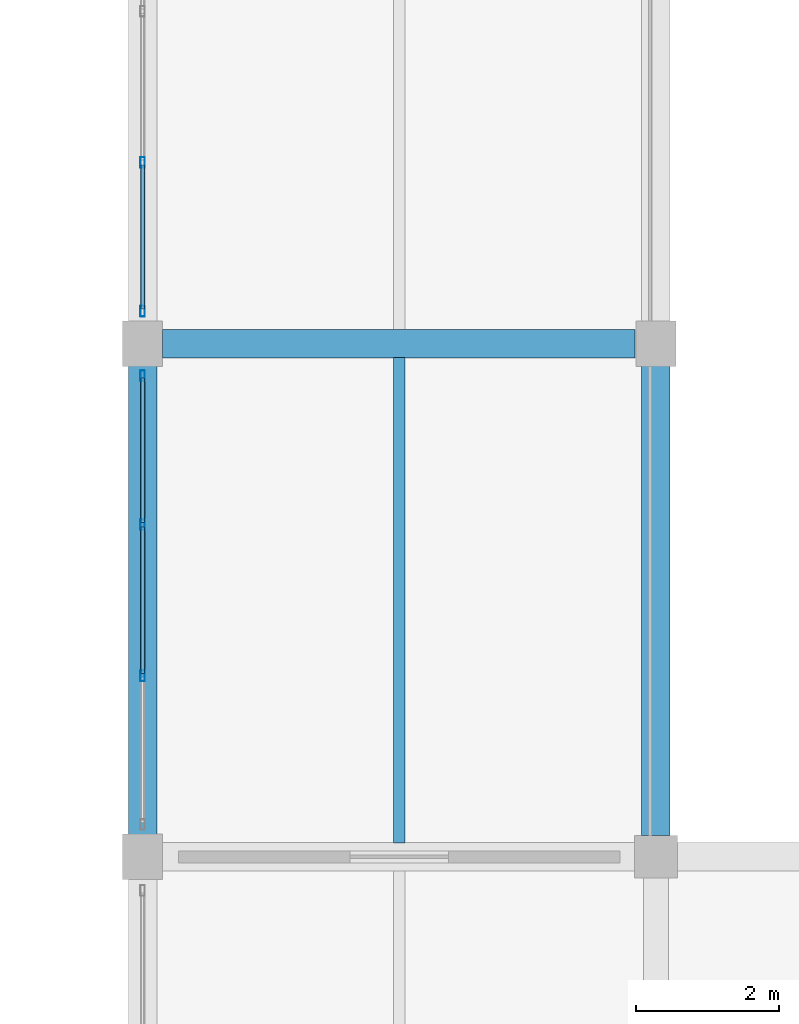
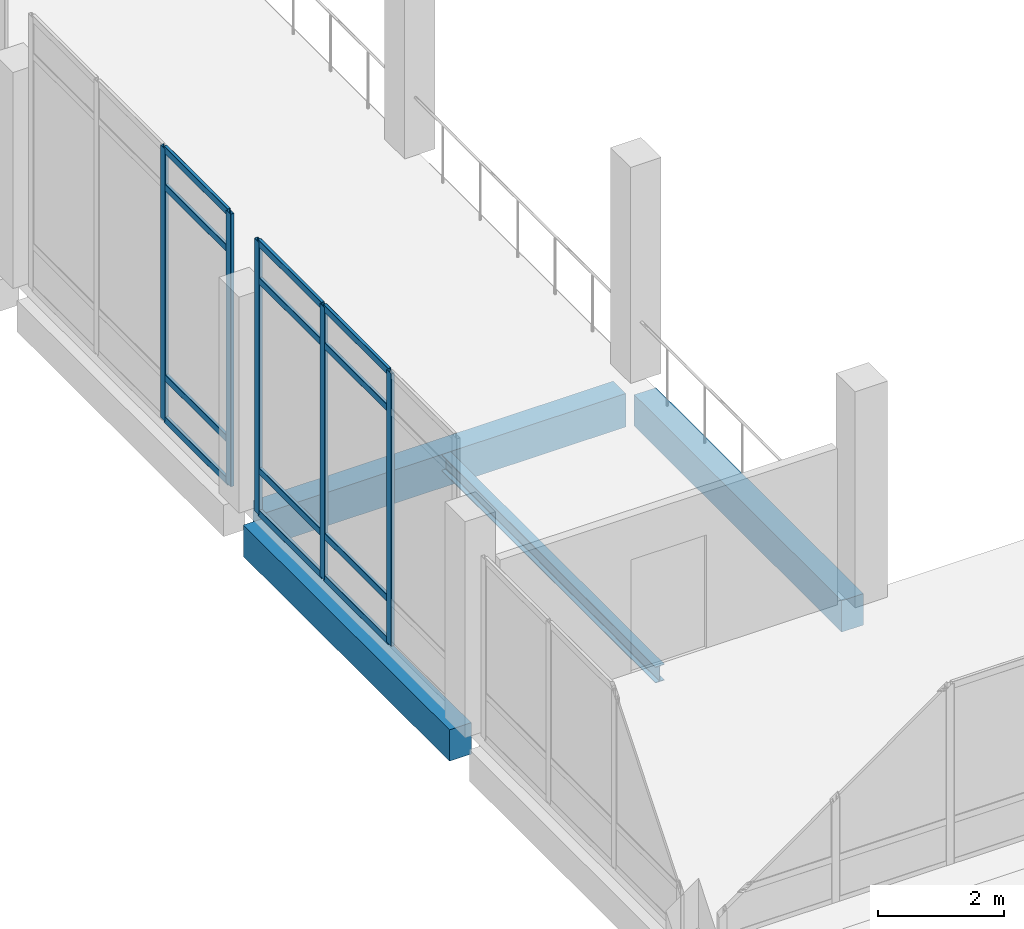
# One storey, part 91 of 158: 17 members, 4 beams, 2 elements without a shape of their own.
"""IFC4 building model written with IfcOpenShell, lengths in metres."""

from ifc_helpers import new_model, si_unit, direction, frame, origin, origin_2d, place, context, subcontext, project, spatial, rectangle, hollow_rectangle, i_section, extrude, material, material_profile, profile_set, type_object, element, aggregate, save


model = new_model("IFC4")

# Units and contexts
model_context = context("Model", 3, precision=1e-05, world=origin(), true_north=direction((0.0, 1.0)))
body_context = subcontext(model_context, "Body", "Model", "MODEL_VIEW")
ifc_project = project(units=[si_unit("LENGTHUNIT", "METRE"), si_unit("AREAUNIT", "SQUARE_METRE"), si_unit("VOLUMEUNIT", "CUBIC_METRE"), si_unit("PLANEANGLEUNIT", "RADIAN"), si_unit("MASSUNIT", "GRAM", prefix="KILO")], contexts=[model_context])

# Site, building, storey
site_placement = place(None, origin())
site = spatial("IfcSite", under=ifc_project, at=site_placement, CompositionType="ELEMENT")
building_placement = place(site_placement, origin())
building = spatial("IfcBuilding", under=site, at=building_placement, Name="Lusvemor Sports Hall", CompositionType="ELEMENT")
storey_placement = place(building_placement, frame((0.0, 0.0, 10.800048828125)))
storey = spatial("IfcBuildingStorey", under=building, at=storey_placement, Name="L02", CompositionType="ELEMENT", Elevation=10.800048828125)

# Beam
ifc_material_1 = material(Name="Concrete C40/50", Category="concrete")
ifc_material_profile_1 = material_profile(ifc_material_1, rectangle(XDim=0.39990234375, YDim=0.64990234375, at=origin_2d()), Name="RC400x650")
ifc_profile_set_1 = profile_set([ifc_material_profile_1], Name="Concrete C40/50")
beam_type_1 = type_object("IfcBeamType", Name="BEAM_RC_650", PredefinedType="BEAM", material=ifc_profile_set_1)
beam_1_placement = place(storey_placement, frame((133.47607421875, 54.0, -0.5849609375), z_axis=(1.0, 0.0, 0.0), x_axis=(0.0, 1.0, 0.0)))
element("IfcBeam", 1, at=beam_1_placement, inside=storey, type_object=beam_type_1, Name="Beam L02 G:15-16", PredefinedType="BEAM", context=body_context, shape_type="SweptSolid", body=[
    extrude(rectangle(XDim=0.39990234375, YDim=0.64990234375, at=origin_2d()), origin(), (0.0, 0.0, 1.0), 6.6279296875),
])

# Curtain wall, members
ifc_material_2 = material(Name="Thermally broken bronze-anodized aluminium", Category="aluminium")
curtain_wall_type = type_object("IfcCurtainWallType", Name="CW_CLIMB_D", PredefinedType="NOTDEFINED", material=ifc_material_2)
curtain_wall_1_placement = place(storey_placement, origin())
curtain_wall_1 = element("IfcCurtainWall", 2, at=curtain_wall_1_placement, inside=storey, type_object=curtain_wall_type, Name="Curtain Wall CW-V3W-L02-0", PredefinedType="NOTDEFINED")
ifc_material_3 = material(Name="Thermally broken bronze-anodized aluminium", Category="aluminium")
ifc_material_profile_2 = material_profile(ifc_material_3, hollow_rectangle(XDim=0.06494140625, YDim=0.14990234375, WallThickness=0.00390625, InnerFilletRadius=0.00390625, OuterFilletRadius=0.008056640625, at=origin_2d()), Name="CWMUL150x65x4")
ifc_profile_set_2 = profile_set([ifc_material_profile_2], Name="Thermally broken bronze-anodized aluminium")
member_type_1 = type_object("IfcMemberType", Name="CW_MUL_B", PredefinedType="MULLION", material=ifc_profile_set_2)
member_1_placement = place(storey_placement, frame((133.199951171875, 49.340087890625, 0.0), z_axis=(0.0, 0.0, 1.0), x_axis=(-1.0, 0.0, 0.0)))
member_1 = element("IfcMember", 3, at=member_1_placement, type_object=member_type_1, Name="CW04 mullion 2", PredefinedType="MULLION", context=body_context, shape_type="SweptSolid", body=[
    extrude(hollow_rectangle(XDim=0.06494140625, YDim=0.14990234375, WallThickness=0.00390625, InnerFilletRadius=0.00390625, OuterFilletRadius=0.008056640625, at=origin_2d()), origin(), (0.0, 0.0, 1.0), 5.300048828125),
])
member_2_placement = place(storey_placement, frame((133.199951171875, 51.4599609375, 0.0), z_axis=(0.0, 0.0, 1.0), x_axis=(-1.0, 0.0, 0.0)))
member_2 = element("IfcMember", 4, at=member_2_placement, type_object=member_type_1, Name="CW04 mullion 3", PredefinedType="MULLION", context=body_context, shape_type="SweptSolid", body=[
    extrude(hollow_rectangle(XDim=0.06494140625, YDim=0.14990234375, WallThickness=0.00390625, InnerFilletRadius=0.00390625, OuterFilletRadius=0.008056640625, at=origin_2d()), origin(), (0.0, 0.0, 1.0), 5.300048828125),
])
member_3_placement = place(storey_placement, frame((133.199951171875, 53.547607421875, 0.0), z_axis=(0.0, 0.0, 1.0), x_axis=(-1.0, 0.0, 0.0)))
member_3 = element("IfcMember", 5, at=member_3_placement, type_object=member_type_1, Name="CW04 mullion 4", PredefinedType="MULLION", context=body_context, shape_type="SweptSolid", body=[
    extrude(hollow_rectangle(XDim=0.06494140625, YDim=0.14990234375, WallThickness=0.00390625, InnerFilletRadius=0.00390625, OuterFilletRadius=0.008056640625, at=origin_2d()), origin(), (0.0, 0.0, 1.0), 5.300048828125),
])

curtain_wall_2_placement = place(storey_placement, origin())
curtain_wall_2 = element("IfcCurtainWall", 6, at=curtain_wall_2_placement, inside=storey, type_object=curtain_wall_type, Name="Curtain Wall CW-V3W-L02-1", PredefinedType="NOTDEFINED")
member_4_placement = place(storey_placement, frame((133.199951171875, 54.452392578125, 0.0), z_axis=(0.0, 0.0, 1.0), x_axis=(-1.0, 0.0, 0.0)))
member_4 = element("IfcMember", 7, at=member_4_placement, type_object=member_type_1, Name="CW04 mullion 1", PredefinedType="MULLION", context=body_context, shape_type="SweptSolid", body=[
    extrude(hollow_rectangle(XDim=0.06494140625, YDim=0.14990234375, WallThickness=0.00390625, InnerFilletRadius=0.00390625, OuterFilletRadius=0.008056640625, at=origin_2d()), origin(), (0.0, 0.0, 1.0), 5.300048828125),
])
member_5_placement = place(storey_placement, frame((133.199951171875, 56.5400390625, 0.0), z_axis=(0.0, 0.0, 1.0), x_axis=(-1.0, 0.0, 0.0)))
member_5 = element("IfcMember", 8, at=member_5_placement, type_object=member_type_1, Name="CW04 mullion 2", PredefinedType="MULLION", context=body_context, shape_type="SweptSolid", body=[
    extrude(hollow_rectangle(XDim=0.06494140625, YDim=0.14990234375, WallThickness=0.00390625, InnerFilletRadius=0.00390625, OuterFilletRadius=0.008056640625, at=origin_2d()), origin(), (0.0, 0.0, 1.0), 5.300048828125),
])

# Member
ifc_material_4 = material(Name="Thermally broken bronze-anodized aluminium", Category="aluminium")
ifc_material_profile_3 = material_profile(ifc_material_4, hollow_rectangle(XDim=0.06005859375, YDim=0.135009765625, WallThickness=0.00390625, InnerFilletRadius=0.00390625, OuterFilletRadius=0.008056640625, at=origin_2d()), Name="CWTRN135x60x4")
ifc_profile_set_3 = profile_set([ifc_material_profile_3], Name="Thermally broken bronze-anodized aluminium")
member_type_2 = type_object("IfcMemberType", Name="CW_TRN_B", PredefinedType="USERDEFINED", material=ifc_profile_set_3)
member_6_placement = place(storey_placement, frame((133.199951171875, 49.37255859375, 0.030029296875), z_axis=(0.0, 1.0, 0.0), x_axis=(-1.0, 0.0, 0.0)))
member_6 = element("IfcMember", 9, at=member_6_placement, type_object=member_type_2, Name="CW04 transom 2.1", ObjectType="TRANSOM", PredefinedType="USERDEFINED", context=body_context, shape_type="SweptSolid", body=[
    extrude(hollow_rectangle(XDim=0.06005859375, YDim=0.135009765625, WallThickness=0.00390625, InnerFilletRadius=0.00390625, OuterFilletRadius=0.008056640625, at=origin_2d()), origin(), (0.0, 0.0, 1.0), 2.054931640625),
])

member_7_placement = place(storey_placement, frame((133.199951171875, 49.37255859375, 0.849853515625), z_axis=(0.0, 1.0, 0.0), x_axis=(-1.0, 0.0, 0.0)))
member_7 = element("IfcMember", 10, at=member_7_placement, type_object=member_type_2, Name="CW04 transom 2.2", ObjectType="TRANSOM", PredefinedType="USERDEFINED", context=body_context, shape_type="SweptSolid", body=[
    extrude(hollow_rectangle(XDim=0.06005859375, YDim=0.135009765625, WallThickness=0.00390625, InnerFilletRadius=0.00390625, OuterFilletRadius=0.008056640625, at=origin_2d()), origin(), (0.0, 0.0, 1.0), 2.054931640625),
])

member_8_placement = place(storey_placement, frame((133.199951171875, 49.37255859375, 4.550048828125), z_axis=(0.0, 1.0, 0.0), x_axis=(-1.0, 0.0, 0.0)))
member_8 = element("IfcMember", 11, at=member_8_placement, type_object=member_type_2, Name="CW04 transom 2.3", ObjectType="TRANSOM", PredefinedType="USERDEFINED", context=body_context, shape_type="SweptSolid", body=[
    extrude(hollow_rectangle(XDim=0.06005859375, YDim=0.135009765625, WallThickness=0.00390625, InnerFilletRadius=0.00390625, OuterFilletRadius=0.008056640625, at=origin_2d()), origin(), (0.0, 0.0, 1.0), 2.054931640625),
])

member_9_placement = place(storey_placement, frame((133.199951171875, 49.37255859375, 5.27001953125), z_axis=(0.0, 1.0, 0.0), x_axis=(-1.0, 0.0, 0.0)))
member_9 = element("IfcMember", 12, at=member_9_placement, type_object=member_type_2, Name="CW04 transom 2.4", ObjectType="TRANSOM", PredefinedType="USERDEFINED", context=body_context, shape_type="SweptSolid", body=[
    extrude(hollow_rectangle(XDim=0.06005859375, YDim=0.135009765625, WallThickness=0.00390625, InnerFilletRadius=0.00390625, OuterFilletRadius=0.008056640625, at=origin_2d()), origin(), (0.0, 0.0, 1.0), 2.054931640625),
])

member_10_placement = place(storey_placement, frame((133.199951171875, 51.492431640625, 0.030029296875), z_axis=(0.0, 1.0, 0.0), x_axis=(-1.0, 0.0, 0.0)))
member_10 = element("IfcMember", 13, at=member_10_placement, type_object=member_type_2, Name="CW04 transom 3.1", ObjectType="TRANSOM", PredefinedType="USERDEFINED", context=body_context, shape_type="SweptSolid", body=[
    extrude(hollow_rectangle(XDim=0.06005859375, YDim=0.135009765625, WallThickness=0.00390625, InnerFilletRadius=0.00390625, OuterFilletRadius=0.008056640625, at=origin_2d()), origin(), (0.0, 0.0, 1.0), 2.0224609375),
])

member_11_placement = place(storey_placement, frame((133.199951171875, 51.492431640625, 0.849853515625), z_axis=(0.0, 1.0, 0.0), x_axis=(-1.0, 0.0, 0.0)))
member_11 = element("IfcMember", 14, at=member_11_placement, type_object=member_type_2, Name="CW04 transom 3.2", ObjectType="TRANSOM", PredefinedType="USERDEFINED", context=body_context, shape_type="SweptSolid", body=[
    extrude(hollow_rectangle(XDim=0.06005859375, YDim=0.135009765625, WallThickness=0.00390625, InnerFilletRadius=0.00390625, OuterFilletRadius=0.008056640625, at=origin_2d()), origin(), (0.0, 0.0, 1.0), 2.0224609375),
])

member_12_placement = place(storey_placement, frame((133.199951171875, 51.492431640625, 4.550048828125), z_axis=(0.0, 1.0, 0.0), x_axis=(-1.0, 0.0, 0.0)))
member_12 = element("IfcMember", 15, at=member_12_placement, type_object=member_type_2, Name="CW04 transom 3.3", ObjectType="TRANSOM", PredefinedType="USERDEFINED", context=body_context, shape_type="SweptSolid", body=[
    extrude(hollow_rectangle(XDim=0.06005859375, YDim=0.135009765625, WallThickness=0.00390625, InnerFilletRadius=0.00390625, OuterFilletRadius=0.008056640625, at=origin_2d()), origin(), (0.0, 0.0, 1.0), 2.0224609375),
])

member_13_placement = place(storey_placement, frame((133.199951171875, 51.492431640625, 5.27001953125), z_axis=(0.0, 1.0, 0.0), x_axis=(-1.0, 0.0, 0.0)))
member_13 = element("IfcMember", 16, at=member_13_placement, type_object=member_type_2, Name="CW04 transom 3.4", ObjectType="TRANSOM", PredefinedType="USERDEFINED", context=body_context, shape_type="SweptSolid", body=[
    extrude(hollow_rectangle(XDim=0.06005859375, YDim=0.135009765625, WallThickness=0.00390625, InnerFilletRadius=0.00390625, OuterFilletRadius=0.008056640625, at=origin_2d()), origin(), (0.0, 0.0, 1.0), 2.0224609375),
])

aggregate(curtain_wall_1, [member_1, member_2, member_3, member_6, member_7, member_8, member_9, member_10, member_11, member_12, member_13])

member_14_placement = place(storey_placement, frame((133.199951171875, 54.485107421875, 0.030029296875), z_axis=(0.0, 1.0, 0.0), x_axis=(-1.0, 0.0, 0.0)))
member_14 = element("IfcMember", 17, at=member_14_placement, type_object=member_type_2, Name="CW04 transom 1.1", ObjectType="TRANSOM", PredefinedType="USERDEFINED", context=body_context, shape_type="SweptSolid", body=[
    extrude(hollow_rectangle(XDim=0.06005859375, YDim=0.135009765625, WallThickness=0.00390625, InnerFilletRadius=0.00390625, OuterFilletRadius=0.008056640625, at=origin_2d()), origin(), (0.0, 0.0, 1.0), 2.0224609375),
])

member_15_placement = place(storey_placement, frame((133.199951171875, 54.485107421875, 0.849853515625), z_axis=(0.0, 1.0, 0.0), x_axis=(-1.0, 0.0, 0.0)))
member_15 = element("IfcMember", 18, at=member_15_placement, type_object=member_type_2, Name="CW04 transom 1.2", ObjectType="TRANSOM", PredefinedType="USERDEFINED", context=body_context, shape_type="SweptSolid", body=[
    extrude(hollow_rectangle(XDim=0.06005859375, YDim=0.135009765625, WallThickness=0.00390625, InnerFilletRadius=0.00390625, OuterFilletRadius=0.008056640625, at=origin_2d()), origin(), (0.0, 0.0, 1.0), 2.0224609375),
])

member_16_placement = place(storey_placement, frame((133.199951171875, 54.485107421875, 4.550048828125), z_axis=(0.0, 1.0, 0.0), x_axis=(-1.0, 0.0, 0.0)))
member_16 = element("IfcMember", 19, at=member_16_placement, type_object=member_type_2, Name="CW04 transom 1.3", ObjectType="TRANSOM", PredefinedType="USERDEFINED", context=body_context, shape_type="SweptSolid", body=[
    extrude(hollow_rectangle(XDim=0.06005859375, YDim=0.135009765625, WallThickness=0.00390625, InnerFilletRadius=0.00390625, OuterFilletRadius=0.008056640625, at=origin_2d()), origin(), (0.0, 0.0, 1.0), 2.0224609375),
])

member_17_placement = place(storey_placement, frame((133.199951171875, 54.485107421875, 5.27001953125), z_axis=(0.0, 1.0, 0.0), x_axis=(-1.0, 0.0, 0.0)))
member_17 = element("IfcMember", 20, at=member_17_placement, type_object=member_type_2, Name="CW04 transom 1.4", ObjectType="TRANSOM", PredefinedType="USERDEFINED", context=body_context, shape_type="SweptSolid", body=[
    extrude(hollow_rectangle(XDim=0.06005859375, YDim=0.135009765625, WallThickness=0.00390625, InnerFilletRadius=0.00390625, OuterFilletRadius=0.008056640625, at=origin_2d()), origin(), (0.0, 0.0, 1.0), 2.0224609375),
])

aggregate(curtain_wall_2, [member_4, member_5, member_14, member_15, member_16, member_17])

# Beams
ifc_material_5 = material(Name="Steel S355", Category="steel")
ifc_material_profile_4 = material_profile(ifc_material_5, i_section(OverallWidth=0.1669921875, OverallDepth=0.31689453125, WebThickness=0.007568359375, FlangeThickness=0.01318359375, FilletRadius=0.014892578125, at=origin_2d()), Name="W310x52.0")
ifc_profile_set_4 = profile_set([ifc_material_profile_4], Name="Steel S355")
beam_type_2 = type_object("IfcBeamType", Name="JOIST_ST_310M", PredefinedType="JOIST", material=ifc_profile_set_4)
beam_2_placement = place(storey_placement, frame((136.800048828125, 46.99609375, -0.422607421875), z_axis=(0.0, 1.0, 0.0), x_axis=(-1.0, 0.0, 0.0)))
element("IfcBeam", 21, at=beam_2_placement, inside=storey, type_object=beam_type_2, Name="Secondary Joist L02 15-16/F-G #1", PredefinedType="JOIST", context=body_context, shape_type="SweptSolid", body=[
    extrude(i_section(OverallWidth=0.1669921875, OverallDepth=0.31689453125, WebThickness=0.007568359375, FlangeThickness=0.01318359375, FilletRadius=0.014892578125, at=origin_2d()), origin(), (0.0, 0.0, 1.0), 6.807861328125),
])
ifc_material_6 = material(Name="Concrete C40/50", Category="concrete")
ifc_material_profile_5 = material_profile(ifc_material_6, rectangle(XDim=0.39990234375, YDim=0.610107421875, at=origin_2d()), Name="RC400x610")
ifc_profile_set_5 = profile_set([ifc_material_profile_5], Name="Concrete C40/50")
beam_type_3 = type_object("IfcBeamType", Name="SPAND_EXT_650", PredefinedType="SPANDREL", material=ifc_profile_set_5)
beam_3_placement = place(storey_placement, frame((133.199951171875, 47.115966796875, -0.56494140625), z_axis=(0.0, 1.0, 0.0), x_axis=(-1.0, 0.0, 0.0)))
element("IfcBeam", 22, at=beam_3_placement, inside=storey, type_object=beam_type_3, Name="Beam L02 15:F-G", PredefinedType="SPANDREL", context=body_context, shape_type="SweptSolid", body=[
    extrude(rectangle(XDim=0.39990234375, YDim=0.610107421875, at=origin_2d()), origin(), (0.0, 0.0, 1.0), 6.568115234375),
])
beam_4_placement = place(storey_placement, frame((140.39990234375, 47.095947265625, -0.56494140625), z_axis=(0.0, 1.0, 0.0), x_axis=(-1.0, 0.0, 0.0)))
element("IfcBeam", 23, at=beam_4_placement, inside=storey, type_object=beam_type_3, Name="Beam L02 16:F-G", PredefinedType="SPANDREL", context=body_context, shape_type="SweptSolid", body=[
    extrude(rectangle(XDim=0.39990234375, YDim=0.610107421875, at=origin_2d()), origin(), (0.0, 0.0, 1.0), 6.608154296875),
])

save(model, "model.ifc")
